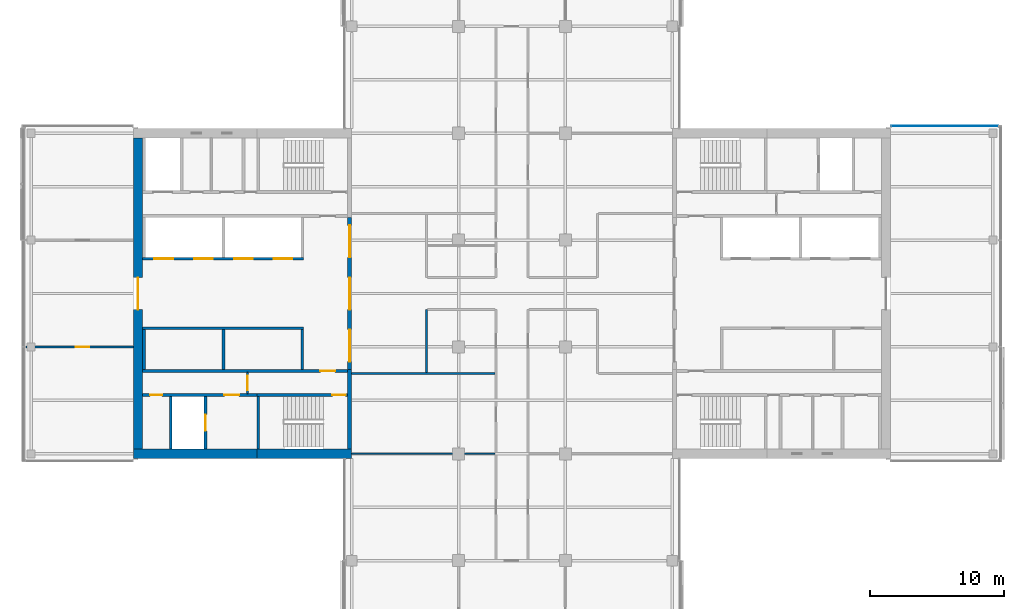
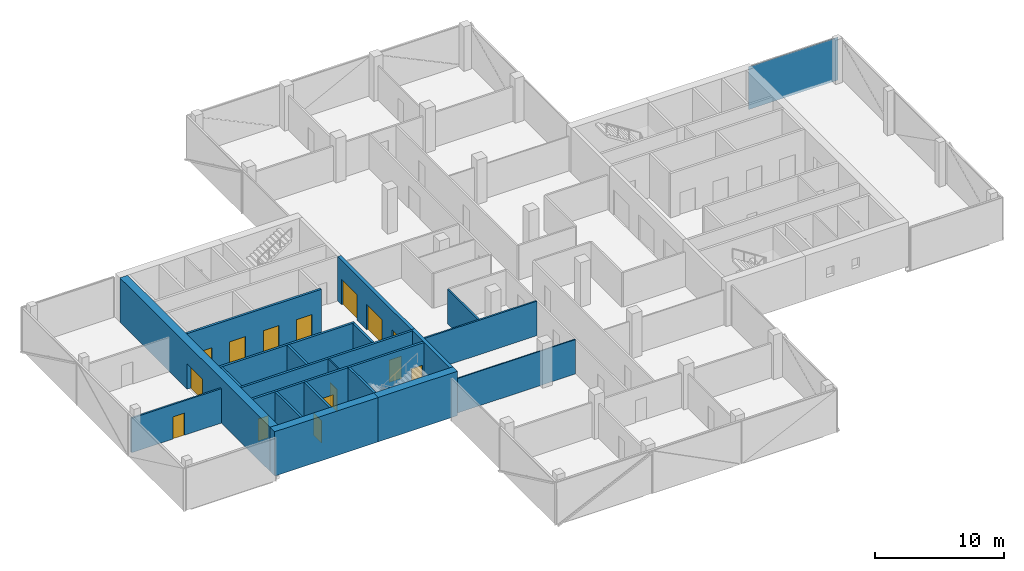
# One storey, part 13 of 22: 21 walls, 15 doors, 1 plate, 15 openings, 1 element without a shape of its own.
"""IFC4 building model written with IfcOpenShell, lengths in metres."""

from ifc_helpers import new_model, si_unit, direction, frame, frame_2d, origin, place, context, subcontext, project, spatial, polyline, rectangle, outline, extrude, material, layer, layer_set, constituent, constituent_set, type_object, element, fill, aggregate, save


model = new_model("IFC4")

# Units and contexts
model_context = context("Model", 3, precision=1e-05, world=origin(), true_north=direction((0.0, 1.0)))
body_context = subcontext(model_context, "Body", "Model", "MODEL_VIEW")
ifc_project = project(units=[si_unit("LENGTHUNIT", "METRE"), si_unit("AREAUNIT", "SQUARE_METRE"), si_unit("VOLUMEUNIT", "CUBIC_METRE"), si_unit("PLANEANGLEUNIT", "RADIAN"), si_unit("MASSUNIT", "GRAM", prefix="KILO")], contexts=[model_context])

# Site, building, storey
site_placement = place(None, origin())
site = spatial("IfcSite", under=ifc_project, at=site_placement, CompositionType="ELEMENT")
building_placement = place(site_placement, origin())
building = spatial("IfcBuilding", under=site, at=building_placement, Name="Crosswind Convention Tower", CompositionType="ELEMENT")
storey_placement = place(building_placement, frame((0.0, 0.0, 167.300048828125)))
storey = spatial("IfcBuildingStorey", under=building, at=storey_placement, Name="L35", CompositionType="ELEMENT", Elevation=167.300048828125)

# Curtain wall, plate
ifc_material_1 = material(Name="Aluminium unitised curtain wall", Category="aluminium")
curtain_wall_type = type_object("IfcCurtainWallType", Name="CORE END SLOT WALL 160", PredefinedType="USERDEFINED", material=ifc_material_1)
curtain_wall_placement = place(storey_placement, origin())
curtain_wall = element("IfcCurtainWall", 1, at=curtain_wall_placement, inside=storey, type_object=curtain_wall_type, Name="CW6 L35 E-N.1-1 slot", ObjectType="UNITISED", PredefinedType="USERDEFINED")
ifc_material_2 = material(Name="Laminated insulating glass unit", Category="glass")
ifc_layer_1 = layer(ifc_material_2, 0.02587890625)
ifc_layer_set_1 = layer_set([ifc_layer_1], Name="TRIANGULAR GLASS PANEL 26")
plate_type = type_object("IfcPlateType", Name="TRIANGULAR GLASS PANEL 26", PredefinedType="CURTAIN_PANEL", material=ifc_layer_set_1)
plate_placement = place(storey_placement, frame((161.39990234375, 112.556884765625, -0.300048828125), z_axis=(0.0, 0.999999910972, 0.000421966326), x_axis=(-1.0, 0.0, 0.0)))
plate = element("IfcPlate", 2, at=plate_placement, type_object=plate_type, Name="CW6 panel 1.1", PredefinedType="CURTAIN_PANEL", context=body_context, shape_type="SweptSolid", body=[
    extrude(outline(polyline([(0.0, 0.0), (8.0, 0.0), (8.0, 4.050049188691945), (0.0, 4.050049188691945), (0.0, 0.0)])), origin(), (0.0, 0.0, -1.0), 0.02587890625),
])
aggregate(curtain_wall, [plate])

# Wall, opening, door
ifc_material_3 = material(Name="Concrete C60/75", Category="concrete")
ifc_layer_2 = layer(ifc_material_3, 0.699951171875)
ifc_layer_set_2 = layer_set([ifc_layer_2], Name="Concrete C60/75")
wall_type_1 = type_object("IfcWallType", Name="Concrete core wall 700", PredefinedType="SHEAR", material=ifc_layer_set_2)
wall_1_placement = place(storey_placement, frame((97.0, 111.64990234375, 0.0), z_axis=(0.0, 0.0, 1.0), x_axis=(0.0, -1.0, 0.0)))
wall_1 = element("IfcWall", 3, at=wall_1_placement, inside=storey, type_object=wall_type_1, Name="Wall O W L35", PredefinedType="SHEAR", context=body_context, shape_type="SweptSolid", body=[
    extrude(rectangle(XDim=23.2998046875, YDim=0.699951171875, at=frame_2d((11.64990234375, 0.0))), origin(), (0.0, 0.0, 1.0), 4.199951171875),
])
opening_1_placement = place(wall_1_placement, frame((10.449951171875, 0.0, 0.0)))
opening_1 = element("IfcOpeningElement", 4, at=opening_1_placement, cuts=wall_1, Name="Opening D100", PredefinedType="OPENING", context=body_context, shape_type="SweptSolid", body=[
    extrude(rectangle(XDim=2.39990234375, YDim=2.39990234375, at=frame_2d((1.199951171875, 1.199951171875))), frame((0.0, 0.35986328125, 0.0), z_axis=(0.0, -1.0, 0.0), x_axis=(1.0, 0.0, 0.0)), (0.0, 0.0, 1.0), 0.719970703125),
])
ifc_material_4 = material(Name="Steel fire door with glazed vision panels", Category="steel")
door_type_1 = type_object("IfcDoorType", Name="Fire-rated double door 2400x2400", OperationType="DOUBLE_DOOR_SINGLE_SWING", PredefinedType="DOOR", material=ifc_material_4)
door_1_placement = place(opening_1_placement, origin())
door_1 = element("IfcDoor", 5, at=door_1_placement, inside=storey, type_object=door_type_1, Name="Lobby outer door L35", ObjectType="D100", OperationType="DOUBLE_DOOR_SINGLE_SWING", OverallHeight=2.39990234375, OverallWidth=2.39990234375, PredefinedType="DOOR", context=body_context, shape_type="SweptSolid", body=[
    extrude(rectangle(XDim=2.39990234375, YDim=2.39990234375, at=frame_2d((1.199951171875, 1.199951171875))), frame((0.0, 0.02490234375, 0.0), z_axis=(0.0, -1.0, 0.0), x_axis=(1.0, 0.0, 0.0)), (0.0, 0.0, 1.0), 0.050048828125),
])
fill(opening_1, door_1)

# Wall, openings, doors
ifc_material_5 = material(Name="Concrete C50/60", Category="concrete")
ifc_layer_3 = layer(ifc_material_5, 0.300048828125)
ifc_layer_set_3 = layer_set([ifc_layer_3], Name="Concrete C50/60")
wall_type_2 = type_object("IfcWallType", Name="Concrete inner core wall 300", PredefinedType="SHEAR", material=ifc_layer_set_3)
wall_2_placement = place(storey_placement, frame((112.85009765625, 105.699951171875, 0.0), z_axis=(0.0, 0.0, 1.0), x_axis=(0.0, -1.0, 0.0)))
wall_2 = element("IfcWall", 6, at=wall_2_placement, inside=storey, type_object=wall_type_2, Name="Wall SCR W L35", PredefinedType="SHEAR", context=body_context, shape_type="SweptSolid", body=[
    extrude(rectangle(XDim=11.39990234375, YDim=0.300048828125, at=frame_2d((5.699951171875, 0.0))), origin(), (0.0, 0.0, 1.0), 4.199951171875),
])
opening_2_placement = place(wall_2_placement, frame((0.60009765625, 0.0, 0.0)))
opening_2 = element("IfcOpeningElement", 7, at=opening_2_placement, cuts=wall_2, Name="Opening D100", PredefinedType="OPENING", context=body_context, shape_type="SweptSolid", body=[
    extrude(rectangle(XDim=2.39990234375, YDim=2.39990234375, at=frame_2d((1.199951171875, 1.199951171875))), frame((0.0, 0.159912109375, 0.0), z_axis=(0.0, -1.0, 0.0), x_axis=(1.0, 0.0, 0.0)), (0.0, 0.0, 1.0), 0.320068359375),
])
opening_3_placement = place(wall_2_placement, frame((4.5, 0.0, 0.0)))
opening_3 = element("IfcOpeningElement", 8, at=opening_3_placement, cuts=wall_2, Name="Opening D100", PredefinedType="OPENING", context=body_context, shape_type="SweptSolid", body=[
    extrude(rectangle(XDim=2.39990234375, YDim=2.39990234375, at=frame_2d((1.199951171875, 1.199951171875))), frame((0.0, 0.159912109375, 0.0), z_axis=(0.0, -1.0, 0.0), x_axis=(1.0, 0.0, 0.0)), (0.0, 0.0, 1.0), 0.320068359375),
])
opening_4_placement = place(wall_2_placement, frame((8.39990234375, 0.0, 0.0)))
opening_4 = element("IfcOpeningElement", 9, at=opening_4_placement, cuts=wall_2, Name="Opening D100", PredefinedType="OPENING", context=body_context, shape_type="SweptSolid", body=[
    extrude(rectangle(XDim=2.39990234375, YDim=2.39990234375, at=frame_2d((1.199951171875, 1.199951171875))), frame((0.0, 0.159912109375, 0.0), z_axis=(0.0, -1.0, 0.0), x_axis=(1.0, 0.0, 0.0)), (0.0, 0.0, 1.0), 0.320068359375),
])
door_2_placement = place(opening_2_placement, origin())
door_2 = element("IfcDoor", 10, at=door_2_placement, inside=storey, type_object=door_type_1, Name="Lobby door 1 L35", ObjectType="D100", OperationType="DOUBLE_DOOR_SINGLE_SWING", OverallHeight=2.39990234375, OverallWidth=2.39990234375, PredefinedType="DOOR", context=body_context, shape_type="SweptSolid", body=[
    extrude(rectangle(XDim=2.39990234375, YDim=2.39990234375, at=frame_2d((1.199951171875, 1.199951171875))), frame((0.0, 0.02490234375, 0.0), z_axis=(0.0, -1.0, 0.0), x_axis=(1.0, 0.0, 0.0)), (0.0, 0.0, 1.0), 0.050048828125),
])
fill(opening_2, door_2)
door_3_placement = place(opening_3_placement, origin())
door_3 = element("IfcDoor", 11, at=door_3_placement, inside=storey, type_object=door_type_1, Name="Lobby door 2 L35", ObjectType="D100", OperationType="DOUBLE_DOOR_SINGLE_SWING", OverallHeight=2.39990234375, OverallWidth=2.39990234375, PredefinedType="DOOR", context=body_context, shape_type="SweptSolid", body=[
    extrude(rectangle(XDim=2.39990234375, YDim=2.39990234375, at=frame_2d((1.199951171875, 1.199951171875))), frame((0.0, 0.02490234375, 0.0), z_axis=(0.0, -1.0, 0.0), x_axis=(1.0, 0.0, 0.0)), (0.0, 0.0, 1.0), 0.050048828125),
])
fill(opening_3, door_3)
door_4_placement = place(opening_4_placement, origin())
door_4 = element("IfcDoor", 12, at=door_4_placement, inside=storey, type_object=door_type_1, Name="Lobby door 3 L35", ObjectType="D100", OperationType="DOUBLE_DOOR_SINGLE_SWING", OverallHeight=2.39990234375, OverallWidth=2.39990234375, PredefinedType="DOOR", context=body_context, shape_type="SweptSolid", body=[
    extrude(rectangle(XDim=2.39990234375, YDim=2.39990234375, at=frame_2d((1.199951171875, 1.199951171875))), frame((0.0, 0.02490234375, 0.0), z_axis=(0.0, -1.0, 0.0), x_axis=(1.0, 0.0, 0.0)), (0.0, 0.0, 1.0), 0.050048828125),
])
fill(opening_4, door_4)

# Walls
wall_3_placement = place(storey_placement, frame((112.85009765625, 94.300048828125, 0.0), z_axis=(0.0, 0.0, 1.0), x_axis=(0.0, -1.0, 0.0)))
element("IfcWall", 13, at=wall_3_placement, inside=storey, type_object=wall_type_2, Name="Wall EP W L35", PredefinedType="SHEAR", context=body_context, shape_type="SweptSolid", body=[
    extrude(rectangle(XDim=5.949951171875, YDim=0.300048828125, at=frame_2d((2.97509765625, 0.0))), origin(), (0.0, 0.0, 1.0), 4.199951171875),
])
ifc_layer_4 = layer(ifc_material_5, 0.199951171875)
ifc_layer_set_4 = layer_set([ifc_layer_4], Name="Concrete C50/60")
wall_type_3 = type_object("IfcWallType", Name="Concrete shaft and stair wall 200", PredefinedType="SHEAR", material=ifc_layer_set_4)
for number, where, z_axis, x_axis, name in (
    (14, (109.300048828125, 97.300048828125, 0.0), (0.0, 0.0, 1.0), (0.0, -1.0, 0.0), "Wall RPEND W L35"),
    (15, (103.39990234375, 97.300048828125, 0.0), (0.0, 0.0, 1.0), (0.0, -1.0, 0.0), "Wall RPSEP W L35"),
    (16, (97.449951171875, 97.300048828125, 0.0), (0.0, 0.0, 1.0), (0.0, -1.0, 0.0), "Wall RPEAST W L35"),
):
    element("IfcWall", number, at=place(storey_placement, frame(where, z_axis=z_axis, x_axis=x_axis)), inside=storey, type_object=wall_type_3, Name=name, PredefinedType="SHEAR", context=body_context, shape_type="SweptSolid", body=[
        extrude(rectangle(XDim=3.0, YDim=0.199951171875, at=frame_2d((1.5, 0.0))), origin(), (0.0, 0.0, 1.0), 4.199951171875),
    ])
wall_4_placement = place(storey_placement, frame((109.39990234375, 97.39990234375, 0.0), z_axis=(0.0, 0.0, 1.0), x_axis=(-1.0, 0.0, 0.0)))
element("IfcWall", 17, at=wall_4_placement, inside=storey, type_object=wall_type_3, Name="Wall RPFRONT W L35", PredefinedType="SHEAR", context=body_context, shape_type="SweptSolid", body=[
    extrude(rectangle(XDim=12.0498046875, YDim=0.199951171875, at=frame_2d((6.02490234375, 0.0))), origin(), (0.0, 0.0, 1.0), 4.199951171875),
])

# Wall, openings, doors
wall_5_placement = place(storey_placement, frame((109.39990234375, 102.60009765625, 0.0), z_axis=(0.0, 0.0, 1.0), x_axis=(-1.0, 0.0, 0.0)))
wall_5 = element("IfcWall", 18, at=wall_5_placement, inside=storey, type_object=wall_type_3, Name="Wall RMFRONT W L35", PredefinedType="SHEAR", context=body_context, shape_type="SweptSolid", body=[
    extrude(rectangle(XDim=12.0498046875, YDim=0.199951171875, at=frame_2d((6.02490234375, 0.0))), origin(), (0.0, 0.0, 1.0), 4.199951171875),
])
opening_5_placement = place(wall_5_placement, frame((0.85009765625, 0.0, 0.0)))
opening_5 = element("IfcOpeningElement", 19, at=opening_5_placement, cuts=wall_5, Name="Opening LD2", PredefinedType="OPENING", context=body_context, shape_type="SweptSolid", body=[
    extrude(rectangle(XDim=1.39990234375, YDim=2.10009765625, at=frame_2d((0.699951171875, 1.050048828125))), frame((0.0, 0.10986328125, 0.0), z_axis=(0.0, -1.0, 0.0), x_axis=(1.0, 0.0, 0.0)), (0.0, 0.0, 1.0), 0.219970703125),
])
opening_6_placement = place(wall_5_placement, frame((3.800048828125, 0.0, 0.0)))
opening_6 = element("IfcOpeningElement", 20, at=opening_6_placement, cuts=wall_5, Name="Opening LD2", PredefinedType="OPENING", context=body_context, shape_type="SweptSolid", body=[
    extrude(rectangle(XDim=1.39990234375, YDim=2.10009765625, at=frame_2d((0.699951171875, 1.050048828125))), frame((0.0, 0.10986328125, 0.0), z_axis=(0.0, -1.0, 0.0), x_axis=(1.0, 0.0, 0.0)), (0.0, 0.0, 1.0), 0.219970703125),
])
opening_7_placement = place(wall_5_placement, frame((6.800048828125, 0.0, 0.0)))
opening_7 = element("IfcOpeningElement", 21, at=opening_7_placement, cuts=wall_5, Name="Opening LD2", PredefinedType="OPENING", context=body_context, shape_type="SweptSolid", body=[
    extrude(rectangle(XDim=1.39990234375, YDim=2.10009765625, at=frame_2d((0.699951171875, 1.050048828125))), frame((0.0, 0.10986328125, 0.0), z_axis=(0.0, -1.0, 0.0), x_axis=(1.0, 0.0, 0.0)), (0.0, 0.0, 1.0), 0.219970703125),
])
opening_8_placement = place(wall_5_placement, frame((9.77490234375, 0.0, 0.0)))
opening_8 = element("IfcOpeningElement", 22, at=opening_8_placement, cuts=wall_5, Name="Opening LD2", PredefinedType="OPENING", context=body_context, shape_type="SweptSolid", body=[
    extrude(rectangle(XDim=1.39990234375, YDim=2.10009765625, at=frame_2d((0.699951171875, 1.050048828125))), frame((0.0, 0.10986328125, 0.0), z_axis=(0.0, -1.0, 0.0), x_axis=(1.0, 0.0, 0.0)), (0.0, 0.0, 1.0), 0.219970703125),
])
ifc_material_6 = material(Name="Stainless steel", Category="steel")
door_type_2 = type_object("IfcDoorType", Name="Lift landing door 1400x2100", OperationType="DOUBLE_DOOR_SLIDING", PredefinedType="DOOR", material=ifc_material_6)
door_5_placement = place(opening_5_placement, origin())
door_5 = element("IfcDoor", 23, at=door_5_placement, inside=storey, type_object=door_type_2, Name="Landing door A5 L35", ObjectType="LD2", OperationType="DOUBLE_DOOR_SLIDING", OverallHeight=2.10009765625, OverallWidth=1.39990234375, PredefinedType="DOOR", context=body_context, shape_type="SweptSolid", body=[
    extrude(rectangle(XDim=1.39990234375, YDim=2.10009765625, at=frame_2d((0.699951171875, 1.050048828125))), frame((0.0, 0.02490234375, 0.0), z_axis=(0.0, -1.0, 0.0), x_axis=(1.0, 0.0, 0.0)), (0.0, 0.0, 1.0), 0.050048828125),
])
fill(opening_5, door_5)
door_6_placement = place(opening_6_placement, origin())
door_6 = element("IfcDoor", 24, at=door_6_placement, inside=storey, type_object=door_type_2, Name="Landing door A6 L35", ObjectType="LD2", OperationType="DOUBLE_DOOR_SLIDING", OverallHeight=2.10009765625, OverallWidth=1.39990234375, PredefinedType="DOOR", context=body_context, shape_type="SweptSolid", body=[
    extrude(rectangle(XDim=1.39990234375, YDim=2.10009765625, at=frame_2d((0.699951171875, 1.050048828125))), frame((0.0, 0.02490234375, 0.0), z_axis=(0.0, -1.0, 0.0), x_axis=(1.0, 0.0, 0.0)), (0.0, 0.0, 1.0), 0.050048828125),
])
fill(opening_6, door_6)
door_7_placement = place(opening_7_placement, origin())
door_7 = element("IfcDoor", 25, at=door_7_placement, inside=storey, type_object=door_type_2, Name="Landing door A7 L35", ObjectType="LD2", OperationType="DOUBLE_DOOR_SLIDING", OverallHeight=2.10009765625, OverallWidth=1.39990234375, PredefinedType="DOOR", context=body_context, shape_type="SweptSolid", body=[
    extrude(rectangle(XDim=1.39990234375, YDim=2.10009765625, at=frame_2d((0.699951171875, 1.050048828125))), frame((0.0, 0.02490234375, 0.0), z_axis=(0.0, -1.0, 0.0), x_axis=(1.0, 0.0, 0.0)), (0.0, 0.0, 1.0), 0.050048828125),
])
fill(opening_7, door_7)
door_8_placement = place(opening_8_placement, origin())
door_8 = element("IfcDoor", 26, at=door_8_placement, inside=storey, type_object=door_type_2, Name="Landing door A8 L35", ObjectType="LD2", OperationType="DOUBLE_DOOR_SLIDING", OverallHeight=2.10009765625, OverallWidth=1.39990234375, PredefinedType="DOOR", context=body_context, shape_type="SweptSolid", body=[
    extrude(rectangle(XDim=1.39990234375, YDim=2.10009765625, at=frame_2d((0.699951171875, 1.050048828125))), frame((0.0, 0.02490234375, 0.0), z_axis=(0.0, -1.0, 0.0), x_axis=(1.0, 0.0, 0.0)), (0.0, 0.0, 1.0), 0.050048828125),
])
fill(opening_8, door_8)

# Wall, opening, door
wall_6_placement = place(storey_placement, frame((112.699951171875, 94.199951171875, 0.0), z_axis=(0.0, 0.0, 1.0), x_axis=(-1.0, 0.0, 0.0)))
wall_6 = element("IfcWall", 27, at=wall_6_placement, inside=storey, type_object=wall_type_3, Name="Wall HP W L35", PredefinedType="SHEAR", context=body_context, shape_type="SweptSolid", body=[
    extrude(rectangle(XDim=15.349853515625, YDim=0.199951171875, at=frame_2d((7.6748046875, 0.0))), origin(), (0.0, 0.0, 1.0), 4.199951171875),
])
opening_9_placement = place(wall_6_placement, frame((0.949951171875, 0.0, 0.0)))
opening_9 = element("IfcOpeningElement", 28, at=opening_9_placement, cuts=wall_6, Name="Opening D104", PredefinedType="OPENING", context=body_context, shape_type="SweptSolid", body=[
    extrude(rectangle(XDim=1.10009765625, YDim=2.10009765625, at=frame_2d((0.550048828125, 1.050048828125))), frame((0.0, 0.10986328125, 0.0), z_axis=(0.0, -1.0, 0.0), x_axis=(1.0, 0.0, 0.0)), (0.0, 0.0, 1.0), 0.219970703125),
])
ifc_material_7 = material(Name="Steel fire door", Category="steel")
door_type_3 = type_object("IfcDoorType", Name="Fire-rated single door 1100x2100", OperationType="NOTDEFINED", PredefinedType="DOOR", material=ifc_material_7)
door_9_placement = place(opening_9_placement, origin())
door_9 = element("IfcDoor", 29, at=door_9_placement, inside=storey, type_object=door_type_3, Name="Corridor door L35", ObjectType="D104", OperationType="SINGLE_SWING_LEFT", OverallHeight=2.10009765625, OverallWidth=1.10009765625, PredefinedType="DOOR", context=body_context, shape_type="SweptSolid", body=[
    extrude(rectangle(XDim=1.10009765625, YDim=2.10009765625, at=frame_2d((0.550048828125, 1.050048828125))), frame((0.0, 0.02490234375, 0.0), z_axis=(0.0, -1.0, 0.0), x_axis=(1.0, 0.0, 0.0)), (0.0, 0.0, 1.0), 0.050048828125),
])
fill(opening_9, door_9)

# Wall
wall_7_placement = place(storey_placement, frame((106.0, 92.300048828125, 0.0), z_axis=(0.0, 0.0, 1.0), x_axis=(0.0, -1.0, 0.0)))
element("IfcWall", 30, at=wall_7_placement, inside=storey, type_object=wall_type_3, Name="Wall PSE W L35", PredefinedType="SHEAR", context=body_context, shape_type="SweptSolid", body=[
    extrude(rectangle(XDim=3.949951171875, YDim=0.199951171875, at=frame_2d((1.97509765625, 0.0))), origin(), (0.0, 0.0, 1.0), 4.199951171875),
])

# Wall, opening, door
wall_8_placement = place(storey_placement, frame((102.050048828125, 92.300048828125, 0.0), z_axis=(0.0, 0.0, 1.0), x_axis=(0.0, -1.0, 0.0)))
wall_8 = element("IfcWall", 31, at=wall_8_placement, inside=storey, type_object=wall_type_3, Name="Wall PFLW W L35", PredefinedType="SHEAR", context=body_context, shape_type="SweptSolid", body=[
    extrude(rectangle(XDim=3.949951171875, YDim=0.199951171875, at=frame_2d((1.97509765625, 0.0))), origin(), (0.0, 0.0, 1.0), 4.199951171875),
])
opening_10_placement = place(wall_8_placement, frame((1.375, 0.0, 0.0)))
opening_10 = element("IfcOpeningElement", 32, at=opening_10_placement, cuts=wall_8, Name="Opening LD1", PredefinedType="OPENING", context=body_context, shape_type="SweptSolid", body=[
    extrude(rectangle(XDim=1.199951171875, YDim=2.10009765625, at=frame_2d((0.60009765625, 1.050048828125))), frame((0.0, 0.10986328125, 0.0), z_axis=(0.0, -1.0, 0.0), x_axis=(1.0, 0.0, 0.0)), (0.0, 0.0, 1.0), 0.219970703125),
])
door_type_4 = type_object("IfcDoorType", Name="Lift landing door 1200x2100", OperationType="DOUBLE_DOOR_SLIDING", PredefinedType="DOOR", material=ifc_material_6)
door_10_placement = place(opening_10_placement, origin())
door_10 = element("IfcDoor", 33, at=door_10_placement, inside=storey, type_object=door_type_4, Name="Landing door FF2 L35", ObjectType="LD1", OperationType="DOUBLE_DOOR_SLIDING", OverallHeight=2.10009765625, OverallWidth=1.199951171875, PredefinedType="DOOR", context=body_context, shape_type="SweptSolid", body=[
    extrude(rectangle(XDim=1.199951171875, YDim=2.10009765625, at=frame_2d((0.60009765625, 1.050048828125))), frame((0.0, 0.02490234375, 0.0), z_axis=(0.0, -1.0, 0.0), x_axis=(1.0, 0.0, 0.0)), (0.0, 0.0, 1.0), 0.050048828125),
])
fill(opening_10, door_10)

# Wall
wall_9_placement = place(storey_placement, frame((99.449951171875, 92.300048828125, 0.0), z_axis=(0.0, 0.0, 1.0), x_axis=(0.0, -1.0, 0.0)))
element("IfcWall", 34, at=wall_9_placement, inside=storey, type_object=wall_type_3, Name="Wall PFSE W L35", PredefinedType="SHEAR", context=body_context, shape_type="SweptSolid", body=[
    extrude(rectangle(XDim=3.949951171875, YDim=0.199951171875, at=frame_2d((1.97509765625, 0.0))), origin(), (0.0, 0.0, 1.0), 4.199951171875),
])

# Wall, opening, door
wall_10_placement = place(storey_placement, frame((112.699951171875, 92.39990234375, 0.0), z_axis=(0.0, 0.0, 1.0), x_axis=(-1.0, 0.0, 0.0)))
wall_10 = element("IfcWall", 35, at=wall_10_placement, inside=storey, type_object=wall_type_3, Name="Wall PCW W L35", PredefinedType="SHEAR", context=body_context, shape_type="SweptSolid", body=[
    extrude(rectangle(XDim=6.800048828125, YDim=0.199951171875, at=frame_2d((3.39990234375, 0.0))), origin(), (0.0, 0.0, 1.0), 4.199951171875),
])
opening_11_placement = place(wall_10_placement, frame((0.14990234375, 0.0, 0.0)))
opening_11 = element("IfcOpeningElement", 36, at=opening_11_placement, cuts=wall_10, Name="Opening D103", PredefinedType="OPENING", context=body_context, shape_type="SweptSolid", body=[
    extrude(rectangle(XDim=1.0, YDim=2.10009765625, at=frame_2d((0.5, 1.050048828125))), frame((0.0, 0.10986328125, 0.0), z_axis=(0.0, -1.0, 0.0), x_axis=(1.0, 0.0, 0.0)), (0.0, 0.0, 1.0), 0.219970703125),
])
door_type_5 = type_object("IfcDoorType", Name="Fire-rated single door 1000x2100", OperationType="NOTDEFINED", PredefinedType="DOOR", material=ifc_material_7)
door_11_placement = place(opening_11_placement, origin())
door_11 = element("IfcDoor", 37, at=door_11_placement, inside=storey, type_object=door_type_5, Name="Stair ST3 door L35", ObjectType="D103", OperationType="SINGLE_SWING_LEFT", OverallHeight=2.10009765625, OverallWidth=1.0, PredefinedType="DOOR", context=body_context, shape_type="SweptSolid", body=[
    extrude(rectangle(XDim=1.0, YDim=2.10009765625, at=frame_2d((0.5, 1.050048828125))), frame((0.0, 0.02490234375, 0.0), z_axis=(0.0, -1.0, 0.0), x_axis=(1.0, 0.0, 0.0)), (0.0, 0.0, 1.0), 0.050048828125),
])
fill(opening_11, door_11)

# Wall, openings, doors
wall_11_placement = place(storey_placement, frame((105.89990234375, 92.39990234375, 0.0), z_axis=(0.0, 0.0, 1.0), x_axis=(-1.0, 0.0, 0.0)))
wall_11 = element("IfcWall", 38, at=wall_11_placement, inside=storey, type_object=wall_type_3, Name="Wall PCX W L35", PredefinedType="SHEAR", context=body_context, shape_type="SweptSolid", body=[
    extrude(rectangle(XDim=8.5498046875, YDim=0.199951171875, at=frame_2d((4.27490234375, 0.0))), origin(), (0.0, 0.0, 1.0), 4.199951171875),
])
opening_12_placement = place(wall_11_placement, frame((1.324951171875, 0.0, 0.0)))
opening_12 = element("IfcOpeningElement", 39, at=opening_12_placement, cuts=wall_11, Name="Opening D104", PredefinedType="OPENING", context=body_context, shape_type="SweptSolid", body=[
    extrude(rectangle(XDim=1.10009765625, YDim=2.10009765625, at=frame_2d((0.550048828125, 1.050048828125))), frame((0.0, 0.10986328125, 0.0), z_axis=(0.0, -1.0, 0.0), x_axis=(1.0, 0.0, 0.0)), (0.0, 0.0, 1.0), 0.219970703125),
])
opening_13_placement = place(wall_11_placement, frame((7.10009765625, 0.0, 0.0)))
opening_13 = element("IfcOpeningElement", 40, at=opening_13_placement, cuts=wall_11, Name="Opening D106", PredefinedType="OPENING", context=body_context, shape_type="SweptSolid", body=[
    extrude(rectangle(XDim=0.89990234375, YDim=2.10009765625, at=frame_2d((0.449951171875, 1.050048828125))), frame((0.0, 0.10986328125, 0.0), z_axis=(0.0, -1.0, 0.0), x_axis=(1.0, 0.0, 0.0)), (0.0, 0.0, 1.0), 0.219970703125),
])
door_12_placement = place(opening_12_placement, origin())
door_12 = element("IfcDoor", 41, at=door_12_placement, inside=storey, type_object=door_type_3, Name="Fire-fighting lobby FF2 door L35", ObjectType="D104", OperationType="SINGLE_SWING_RIGHT", OverallHeight=2.10009765625, OverallWidth=1.10009765625, PredefinedType="DOOR", context=body_context, shape_type="SweptSolid", body=[
    extrude(rectangle(XDim=1.10009765625, YDim=2.10009765625, at=frame_2d((0.550048828125, 1.050048828125))), frame((0.0, 0.02490234375, 0.0), z_axis=(0.0, -1.0, 0.0), x_axis=(1.0, 0.0, 0.0)), (0.0, 0.0, 1.0), 0.050048828125),
])
fill(opening_12, door_12)
ifc_material_8 = material(Name="Timber door", Category="wood")
door_type_6 = type_object("IfcDoorType", Name="Single leaf door 900x2100", OperationType="NOTDEFINED", PredefinedType="DOOR", material=ifc_material_8)
door_13_placement = place(opening_13_placement, origin())
door_13 = element("IfcDoor", 42, at=door_13_placement, inside=storey, type_object=door_type_6, Name="Door to electrical room L35", ObjectType="D106", OperationType="SINGLE_SWING_RIGHT", OverallHeight=2.10009765625, OverallWidth=0.89990234375, PredefinedType="DOOR", context=body_context, shape_type="SweptSolid", body=[
    extrude(rectangle(XDim=0.89990234375, YDim=2.10009765625, at=frame_2d((0.449951171875, 1.050048828125))), frame((0.0, 0.02490234375, 0.0), z_axis=(0.0, -1.0, 0.0), x_axis=(1.0, 0.0, 0.0)), (0.0, 0.0, 1.0), 0.050048828125),
])
fill(opening_13, door_13)

# Wall, opening, door
ifc_material_9 = material(Name="Gypsum plasterboard partition", Category="gypsum")
ifc_layer_5 = layer(ifc_material_9, 0.125)
ifc_layer_set_5 = layer_set([ifc_layer_5], Name="Drywall partition wall 125")
wall_type_4 = type_object("IfcWallType", Name="Drywall partition wall 125", PredefinedType="PARTITIONING", material=ifc_layer_set_5)
wall_12_placement = place(storey_placement, frame((105.199951171875, 94.10009765625, 0.0), z_axis=(0.0, 0.0, 1.0), x_axis=(0.0, -1.0, 0.0)))
wall_12 = element("IfcWall", 43, at=wall_12_placement, inside=storey, type_object=wall_type_4, Name="Wall PXC1 W L35", PredefinedType="PARTITIONING", context=body_context, shape_type="SweptSolid", body=[
    extrude(rectangle(XDim=1.60009765625, YDim=0.125, at=frame_2d((0.800048828125, 0.0))), origin(), (0.0, 0.0, 1.0), 4.199951171875),
])
opening_14_placement = place(wall_12_placement, frame((0.25, 0.0, 0.0)))
opening_14 = element("IfcOpeningElement", 44, at=opening_14_placement, cuts=wall_12, Name="Opening D104", PredefinedType="OPENING", context=body_context, shape_type="SweptSolid", body=[
    extrude(rectangle(XDim=1.10009765625, YDim=2.10009765625, at=frame_2d((0.550048828125, 1.050048828125))), frame((0.0, 0.072509765625, 0.0), z_axis=(0.0, -1.0, 0.0), x_axis=(1.0, 0.0, 0.0)), (0.0, 0.0, 1.0), 0.14501953125),
])
door_14_placement = place(opening_14_placement, origin())
door_14 = element("IfcDoor", 45, at=door_14_placement, inside=storey, type_object=door_type_3, Name="Corridor smoke door L35", ObjectType="D104", OperationType="SINGLE_SWING_RIGHT", OverallHeight=2.10009765625, OverallWidth=1.10009765625, PredefinedType="DOOR", context=body_context, shape_type="SweptSolid", body=[
    extrude(rectangle(XDim=1.10009765625, YDim=2.10009765625, at=frame_2d((0.550048828125, 1.050048828125))), frame((0.0, 0.02490234375, 0.0), z_axis=(0.0, -1.0, 0.0), x_axis=(1.0, 0.0, 0.0)), (0.0, 0.0, 1.0), 0.050048828125),
])
fill(opening_14, door_14)

# Walls
ifc_material_10 = material(Name="Plasterboard partition", Category="gypsum")
ifc_layer_6 = layer(ifc_material_10, 0.10009765625)
ifc_layer_set_6 = layer_set([ifc_layer_6], Name="PARTITION 100 METAL STUD")
wall_type_5 = type_object("IfcWallType", Name="PARTITION 100 METAL STUD", PredefinedType="PARTITIONING", material=ifc_layer_set_6)
wall_13_placement = place(storey_placement, frame((113.0, 88.0, 0.0), z_axis=(0.0, 0.0, 1.0), x_axis=(1.0, 0.0, 0.0)))
element("IfcWall", 46, at=wall_13_placement, inside=storey, type_object=wall_type_5, Name="Partition wall WT40", PredefinedType="PARTITIONING", context=body_context, shape_type="SweptSolid", body=[
    extrude(rectangle(XDim=10.72509765625, YDim=0.10009765625, at=frame_2d((5.362548828125, 0.0))), origin(), (0.0, 0.0, 1.0), 3.260498046875),
])
ifc_material_11 = material(Name="Fire-board partition with mineral wool", Category="gypsum")
ifc_layer_7 = layer(ifc_material_11, 0.14990234375)
ifc_layer_set_7 = layer_set([ifc_layer_7], Name="TENANCY WALL 150 TWO-HOUR BOARD")
wall_type_6 = type_object("IfcWallType", Name="TENANCY WALL 150 TWO-HOUR BOARD", PredefinedType="PARTITIONING", material=ifc_layer_set_7)
wall_14_placement = place(storey_placement, frame((118.60009765625, 94.074951171875, 0.0), z_axis=(0.0, 0.0, 1.0), x_axis=(0.0, 1.0, 0.0)))
element("IfcWall", 47, at=wall_14_placement, inside=storey, type_object=wall_type_6, Name="Tenancy wall WT41", PredefinedType="PARTITIONING", context=body_context, shape_type="SweptSolid", body=[
    extrude(rectangle(XDim=4.72509765625, YDim=0.14990234375, at=frame_2d((2.362548828125, 0.0))), origin(), (0.0, 0.0, 1.0), 3.260498046875),
])
wall_15_placement = place(storey_placement, frame((113.0, 94.0, 0.0), z_axis=(0.0, 0.0, 1.0), x_axis=(1.0, 0.0, 0.0)))
element("IfcWall", 48, at=wall_15_placement, inside=storey, type_object=wall_type_6, Name="Tenancy wall WT41", PredefinedType="PARTITIONING", context=body_context, shape_type="SweptSolid", body=[
    extrude(rectangle(XDim=10.72509765625, YDim=0.14990234375, at=frame_2d((5.362548828125, 0.0))), origin(), (0.0, 0.0, 1.0), 3.260498046875),
])

# Wall, opening, door
wall_16_placement = place(storey_placement, frame((88.6298828125, 96.0, 0.0), z_axis=(0.0, 0.0, 1.0), x_axis=(1.0, 0.0, 0.0)))
wall_16 = element("IfcWall", 49, at=wall_16_placement, inside=storey, type_object=wall_type_6, Name="Tenancy wall WT41", PredefinedType="PARTITIONING", context=body_context, shape_type="SweptSolid", body=[
    extrude(rectangle(XDim=8.02001953125, YDim=0.14990234375, at=frame_2d((4.010009765625, 0.0))), origin(), (0.0, 0.0, 1.0), 3.260498046875),
])
opening_15_placement = place(wall_16_placement, frame((3.719970703125, 0.0, 0.0)))
opening_15 = element("IfcOpeningElement", 50, at=opening_15_placement, cuts=wall_16, Name="Opening L35-67", PredefinedType="OPENING", context=body_context, shape_type="SweptSolid", body=[
    extrude(rectangle(XDim=1.0, YDim=2.10009765625, at=frame_2d((0.5, 1.050048828125))), frame((0.0, 0.0849609375, 0.0), z_axis=(0.0, -1.0, 0.0), x_axis=(1.0, 0.0, 0.0)), (0.0, 0.0, 1.0), 0.169921875),
])
ifc_material_12 = material(Name="Timber fire door", Category="wood")
door_type_7 = type_object("IfcDoorType", Name="TENANCY ENTRANCE DOOR 1000X2100 FD30S", OperationType="NOTDEFINED", PredefinedType="DOOR", material=ifc_material_12)
door_15_placement = place(opening_15_placement, frame((1.0, 0.0, 0.0), z_axis=(0.0, 0.0, 1.0), x_axis=(-1.0, 0.0, 0.0)))
door_15 = element("IfcDoor", 51, at=door_15_placement, inside=storey, type_object=door_type_7, Name="Door L35-67", ObjectType="D41", OperationType="SINGLE_SWING_RIGHT", OverallHeight=2.10009765625, OverallWidth=1.0, PredefinedType="DOOR", context=body_context, shape_type="SweptSolid", body=[
    extrude(rectangle(XDim=1.0, YDim=2.10009765625, at=frame_2d((0.5, 1.050048828125))), frame((0.0, 0.02490234375, 0.0), z_axis=(0.0, -1.0, 0.0), x_axis=(1.0, 0.0, 0.0)), (0.0, 0.0, 1.0), 0.050048828125),
])
fill(opening_15, door_15)

# Walls
ifc_constituent_1 = constituent(ifc_material_3, Name="Structure")
ifc_material_13 = material(Name="Terracotta rainscreen", Category="ceramic")
ifc_constituent_2 = constituent(ifc_material_13, Name="Facing")
ifc_constituent_set = constituent_set(constituents=[ifc_constituent_1, ifc_constituent_2], Name="Concrete C60/75, Terracotta rainscreen")
wall_type_7 = type_object("IfcWallType", Name="Terracotta rainscreen on concrete core wall 700", PredefinedType="SHEAR", material=ifc_constituent_set)
wall_17_placement = place(storey_placement, frame((113.0, 88.0, 0.0), z_axis=(0.0, 0.0, 1.0), x_axis=(-1.0, 0.0, 0.0)))
element("IfcWall", 52, at=wall_17_placement, inside=storey, type_object=wall_type_7, Name="Wall N1 W L35", PredefinedType="SHEAR", context=body_context, shape_type="SweptSolid", body=[
    extrude(rectangle(XDim=7.10009765625, YDim=0.699951171875, at=frame_2d((3.550048828125, 0.0))), origin(), (0.0, 0.0, 1.0), 4.199951171875),
])
wall_18_placement = place(storey_placement, frame((105.89990234375, 88.0, 0.0), z_axis=(0.0, 0.0, 1.0), x_axis=(-1.0, 0.0, 0.0)))
element("IfcWall", 53, at=wall_18_placement, inside=storey, type_object=wall_type_7, Name="Wall N2 W L35", PredefinedType="SHEAR", context=body_context, shape_type="SweptSolid", body=[
    extrude(rectangle(XDim=9.25, YDim=0.699951171875, at=frame_2d((4.625, 0.0))), origin(), (0.0, 0.0, 1.0), 4.199951171875),
])

save(model, "model.ifc")
